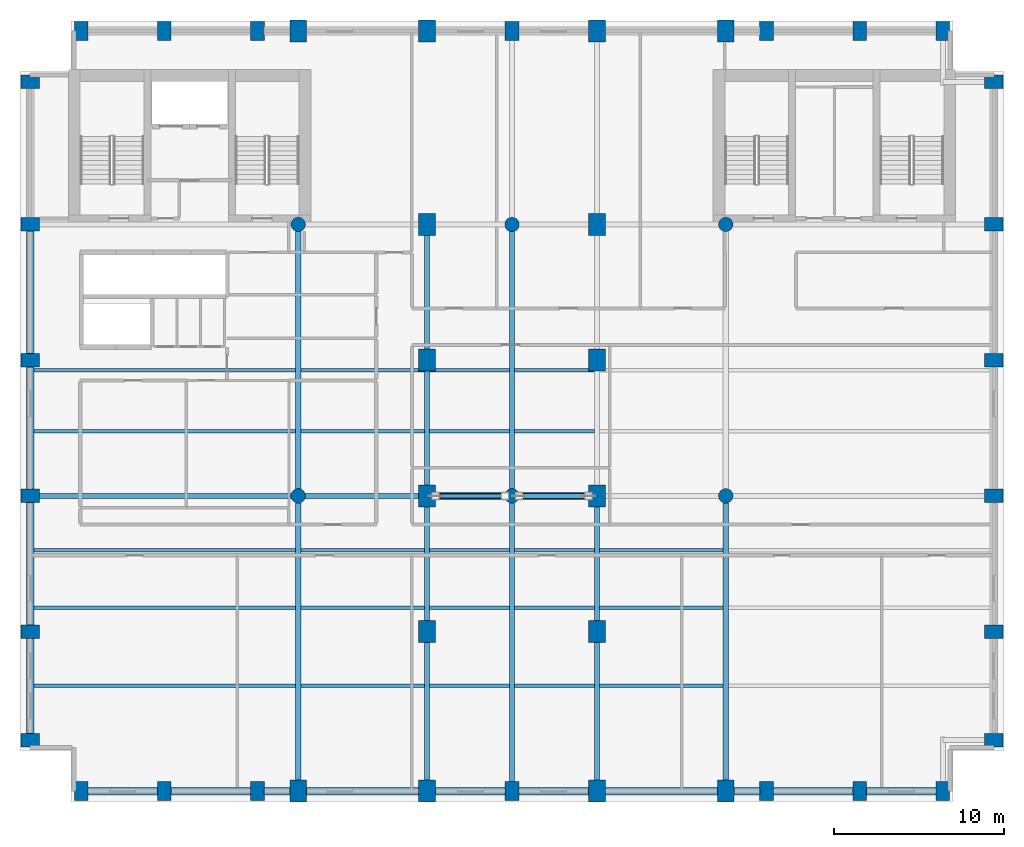
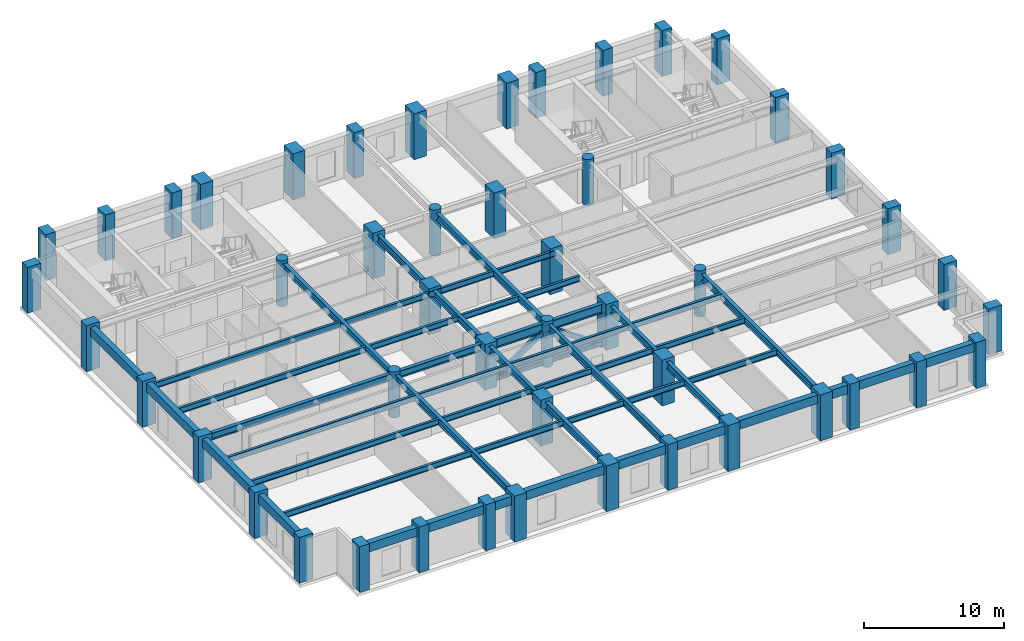
# One storey, part 1 of 11: 49 beams, 48 columns, 4 members.
"""IFC4 building model written with IfcOpenShell, lengths in metres."""

import ifcopenshell
import ifcopenshell.guid

model = None  # the IFC model being written
_history = None  # IfcOwnerHistory: only IFC2X3 demands one
_inside = {}  # id of a spatial element -> (the spatial element, [elements in it])
_under = {}  # id of a project, library or spatial element -> (it, [spatial elements below it])
_declared = {}  # id of a project -> (the project, [libraries it declares])
_typed = {}  # id of a type object -> (the type object, [elements of that type])
_made_of = {}  # id of a material, layer set ... -> (it, [elements and type objects made of it])


def new_model(schema):
    """Start an empty IFC model of exactly this schema.

    Asked for "IFC4X3", IfcOpenShell would pick the latest addendum, in which some entities
    have other attributes; the version numbers below select the first issue.
    IFC2X3 requires an IfcOwnerHistory on every rooted entity: one is made here for all.
    """
    global model, _history
    if schema == "IFC4X3":
        model = ifcopenshell.file(schema_version=(4, 3, 0, 0))
    else:
        model = ifcopenshell.file(schema=schema)
    _inside.clear()
    _under.clear()
    _declared.clear()
    _typed.clear()
    _made_of.clear()
    _history = None
    if model.schema == "IFC2X3":
        org = make("IfcOrganization", Name="unknown")
        user = make(
            "IfcPersonAndOrganization",
            ThePerson=make("IfcPerson", FamilyName="unknown"),
            TheOrganization=org,
        )
        app = make(
            "IfcApplication",
            ApplicationDeveloper=org,
            Version="unknown",
            ApplicationFullName="unknown",
            ApplicationIdentifier="unknown",
        )
        _history = make(
            "IfcOwnerHistory",
            OwningUser=user,
            OwningApplication=app,
            ChangeAction="ADDED",
            CreationDate=0,
        )
    return model


def make(cls, **values):
    """One entity of the class cls with the attributes given. An attribute that is None is left unset."""
    return model.create_entity(
        cls, **{name: value for name, value in values.items() if value is not None}
    )


def rooted(cls, **values):
    """An entity with a GlobalId (a new one), such as an element, a storey or a relation."""
    return make(cls, GlobalId=ifcopenshell.guid.new(), OwnerHistory=_history, **values)


def si_unit(unit_type, name, prefix=None):
    """IfcSIUnit, for example si_unit("LENGTHUNIT", "METRE", prefix="MILLI")."""
    return make("IfcSIUnit", UnitType=unit_type, Prefix=prefix, Name=name)


def assignment(units):
    """IfcUnitAssignment: the units of a project."""
    return None if units is None else make("IfcUnitAssignment", Units=units)


def point(xyz):
    """IfcCartesianPoint."""
    return None if xyz is None else make("IfcCartesianPoint", Coordinates=xyz)


def direction(xyz):
    """IfcDirection."""
    return None if xyz is None else make("IfcDirection", DirectionRatios=xyz)


def frame(location, z_axis=None, x_axis=None):
    """IfcAxis2Placement3D, a coordinate frame: its origin and axes. An axis left out is left unset."""
    return make(
        "IfcAxis2Placement3D",
        Location=point(location),
        Axis=direction(z_axis),
        RefDirection=direction(x_axis),
    )


def frame_2d(location, x_axis=None):
    """IfcAxis2Placement2D, a coordinate frame in the plane: its origin and x axis."""
    return make(
        "IfcAxis2Placement2D", Location=point(location), RefDirection=direction(x_axis)
    )


def origin():
    """The frame at (0, 0, 0) with its axes left unset."""
    return frame((0.0, 0.0, 0.0))


def origin_2d():
    """The frame at (0, 0) in the plane with its x axis left unset."""
    return frame_2d((0.0, 0.0))


def place(relative_to, where):
    """IfcLocalPlacement: puts the frame where relative to a parent placement (None: the world)."""
    return make(
        "IfcLocalPlacement", PlacementRelTo=relative_to, RelativePlacement=where
    )


def context(
    kind, dimensions, precision=None, world=None, true_north=None, identifier=None
):
    """IfcGeometricRepresentationContext, for example the 3D "Model" context."""
    return make(
        "IfcGeometricRepresentationContext",
        ContextIdentifier=identifier,
        ContextType=kind,
        CoordinateSpaceDimension=dimensions,
        Precision=precision,
        WorldCoordinateSystem=world,
        TrueNorth=true_north,
    )


def subcontext(parent, identifier, kind, view, scale=None):
    """IfcGeometricRepresentationSubContext, for example "Body" below "Model"."""
    return make(
        "IfcGeometricRepresentationSubContext",
        ContextIdentifier=identifier,
        ContextType=kind,
        ParentContext=parent,
        TargetScale=scale,
        TargetView=view,
    )


def project(units=None, contexts=None):
    """IfcProject with its units and contexts."""
    return rooted(
        "IfcProject",
        Name="project",
        RepresentationContexts=contexts,
        UnitsInContext=assignment(units),
    )


def spatial(cls, under=None, at=None, **own):
    """A site, building, storey or space (cls), placed at a placement, below another one or the project."""
    s = rooted(cls, ObjectPlacement=at, **own)
    if under is not None:
        _under.setdefault(under.id(), (under, []))[1].append(s)
    return s


def profile(cls, at=None, kind="AREA", **sizes):
    """A parametric profile (cls). Its sizes go by their IFC names, for example OverallWidth=200.0."""
    return make(cls, ProfileType=kind, Position=at, **sizes)


def rectangle(**sizes):
    """IfcRectangleProfileDef."""
    return profile("IfcRectangleProfileDef", **sizes)


def hollow_rectangle(**sizes):
    """IfcRectangleHollowProfileDef."""
    return profile("IfcRectangleHollowProfileDef", **sizes)


def circle(**sizes):
    """IfcCircleProfileDef."""
    return profile("IfcCircleProfileDef", **sizes)


def i_section(**sizes):
    """IfcIShapeProfileDef."""
    return profile("IfcIShapeProfileDef", **sizes)


def extrude(swept, where, along, depth):
    """IfcExtrudedAreaSolid: the profile swept, set in the frame where, extruded along a direction by depth."""
    return make(
        "IfcExtrudedAreaSolid",
        SweptArea=swept,
        Position=where,
        ExtrudedDirection=direction(along),
        Depth=depth,
    )


def shape(context_of_items, identifier, shape_type, items):
    """IfcShapeRepresentation: the items that make up one representation, for example the "Body"."""
    return make(
        "IfcShapeRepresentation",
        ContextOfItems=context_of_items,
        RepresentationIdentifier=identifier,
        RepresentationType=shape_type,
        Items=items,
    )


def material(Name=None, Category=None):
    """IfcMaterial."""
    return make("IfcMaterial", Name=Name, Category=Category)


def material_profile(
    of_material, cross_section, Name=None, Category=None, Priority=None
):
    """IfcMaterialProfile: a cross section and its material."""
    return make(
        "IfcMaterialProfile",
        Name=Name,
        Material=of_material,
        Profile=cross_section,
        Priority=Priority,
        Category=Category,
    )


def profile_set(profiles, Name=None, composite=None):
    """IfcMaterialProfileSet."""
    return make(
        "IfcMaterialProfileSet",
        Name=Name,
        MaterialProfiles=profiles,
        CompositeProfile=composite,
    )


def made_of(thing, what):
    """Note that an element or type object is made of a material, layer set ...; save() writes the relation."""
    if what is not None:
        _made_of.setdefault(what.id(), (what, []))[1].append(thing)
    return thing


def type_object(cls, material=None, **own):
    """A type object (cls), such as IfcWallType, which elements share."""
    return made_of(rooted(cls, **own), material)


def element(
    cls,
    number,
    at=None,
    inside=None,
    cuts=None,
    type_object=None,
    material=None,
    context=None,
    identifier="Body",
    shape_type=None,
    held_by="IfcProductDefinitionShape",
    body=None,
    shapes=None,
    **own,
):
    """One element of the class cls, such as IfcWall. Its Tag is "e" and its number.

    at: its placement. inside: the storey or other place that contains it. cuts: it is an
    opening in that element (IfcRelVoidsElement). A single representation is given by context,
    identifier, shape_type and body (its items); several are given by shapes. held_by: the class
    of the entity that holds the representations. save() writes the other relations.
    """
    e = rooted(cls, Tag="e%d" % number, ObjectPlacement=at, **own)
    if body is not None:
        shapes = [shape(context, identifier, shape_type, body)]
    if shapes is not None:
        e.Representation = make(held_by, Representations=shapes)
    if inside is not None:
        _inside.setdefault(inside.id(), (inside, []))[1].append(e)
    if cuts is not None:
        rooted(
            "IfcRelVoidsElement", RelatingBuildingElement=cuts, RelatedOpeningElement=e
        )
    if type_object is not None:
        _typed.setdefault(type_object.id(), (type_object, []))[1].append(e)
    return made_of(e, material)


def aggregate(whole, parts):
    """IfcRelAggregates: a whole, such as a stair, and the parts it consists of."""
    return rooted("IfcRelAggregates", RelatingObject=whole, RelatedObjects=parts)


def save(model, path):
    """Write the relations noted so far, then the file.

    IfcRelAggregates (storeys below a building ...), IfcRelContainedInSpatialStructure (elements
    in a storey), IfcRelDefinesByType, IfcRelAssociatesMaterial and IfcRelDeclares: one each for
    every whole, place, type object, material and project.
    """
    for whole, parts in _under.values():
        aggregate(whole, parts)
    for where, things in _inside.values():
        rooted(
            "IfcRelContainedInSpatialStructure",
            RelatedElements=things,
            RelatingStructure=where,
        )
    for kind, things in _typed.values():
        rooted("IfcRelDefinesByType", RelatedObjects=things, RelatingType=kind)
    for what, things in _made_of.values():
        rooted("IfcRelAssociatesMaterial", RelatedObjects=things, RelatingMaterial=what)
    for by, libraries in _declared.values():
        rooted("IfcRelDeclares", RelatingContext=by, RelatedDefinitions=libraries)
    model.write(path)


model = new_model("IFC4")

# Units and contexts
model_context = context("Model", 3, precision=1e-05, world=origin(), true_north=direction((0.0, 1.0)))
body_context = subcontext(model_context, "Body", "Model", "MODEL_VIEW")
ifc_project = project(units=[si_unit("LENGTHUNIT", "METRE"), si_unit("AREAUNIT", "SQUARE_METRE"), si_unit("VOLUMEUNIT", "CUBIC_METRE"), si_unit("PLANEANGLEUNIT", "RADIAN"), si_unit("MASSUNIT", "GRAM", prefix="KILO")], contexts=[model_context])

# Site, building, storey
site_placement = place(None, origin())
site = spatial("IfcSite", under=ifc_project, at=site_placement, CompositionType="ELEMENT")
building_placement = place(site_placement, origin())
building = spatial("IfcBuilding", under=site, at=building_placement, Name="Sulina Concourse Tower", CompositionType="ELEMENT")
storey_placement = place(building_placement, frame((0.0, 0.0, 218.60009765625)))
storey = spatial("IfcBuildingStorey", under=building, at=storey_placement, Name="L53", CompositionType="ELEMENT", Elevation=218.60009765625)

# Columns
ifc_material_1 = material(Name="Precast concrete C60/75", Category="concrete")
ifc_material_profile_1 = material_profile(ifc_material_1, rectangle(XDim=0.800048828125, YDim=1.10009765625, at=origin_2d()), Name="PC 800x1100")
ifc_profile_set_1 = profile_set([ifc_material_profile_1], Name="Precast concrete C60/75")
column_type_1 = type_object("IfcColumnType", Name="Precast Tube Pier Zone 3 800x1100", PredefinedType="COLUMN", material=ifc_profile_set_1)
for number, where, z_axis, x_axis, name in (
    (1, (3.60009765625, 0.60009765625, 0.0), (0.0, 0.0, 1.0), (1.0, 0.0, 0.0), "L53 structural column TP-S-36"),
    (2, (3.60009765625, 45.39990234375, 0.0), (0.0, 0.0, 1.0), (1.0, 0.0, 0.0), "L53 structural column TP-N-36"),
    (3, (8.5, 0.60009765625, 0.0), (0.0, 0.0, 1.0), (1.0, 0.0, 0.0), "L53 structural column TP-S-85"),
    (4, (8.5, 45.39990234375, 0.0), (0.0, 0.0, 1.0), (1.0, 0.0, 0.0), "L53 structural column TP-N-85"),
    (5, (14.0, 0.60009765625, 0.0), (0.0, 0.0, 1.0), (1.0, 0.0, 0.0), "L53 structural column TP-S-140"),
    (6, (14.0, 45.39990234375, 0.0), (0.0, 0.0, 1.0), (1.0, 0.0, 0.0), "L53 structural column TP-N-140"),
    (7, (29.0, 0.60009765625, 0.0), (0.0, 0.0, 1.0), (1.0, 0.0, 0.0), "L53 structural column TP-S-290"),
    (8, (29.0, 45.39990234375, 0.0), (0.0, 0.0, 1.0), (1.0, 0.0, 0.0), "L53 structural column TP-N-290"),
    (9, (44.0, 0.60009765625, 0.0), (0.0, 0.0, 1.0), (1.0, 0.0, 0.0), "L53 structural column TP-S-440"),
    (10, (44.0, 45.39990234375, 0.0), (0.0, 0.0, 1.0), (1.0, 0.0, 0.0), "L53 structural column TP-N-440"),
    (11, (49.5, 0.60009765625, 0.0), (0.0, 0.0, 1.0), (1.0, 0.0, 0.0), "L53 structural column TP-S-495"),
    (12, (49.5, 45.39990234375, 0.0), (0.0, 0.0, 1.0), (1.0, 0.0, 0.0), "L53 structural column TP-N-495"),
    (13, (54.39990234375, 0.60009765625, 0.0), (0.0, 0.0, 1.0), (1.0, 0.0, 0.0), "L53 structural column TP-S-544"),
    (14, (54.39990234375, 45.39990234375, 0.0), (0.0, 0.0, 1.0), (1.0, 0.0, 0.0), "L53 structural column TP-N-544"),
    (15, (0.60009765625, 3.60009765625, 0.0), (0.0, 0.0, 1.0), (0.0, 1.0, 0.0), "L53 structural column TP-W-36"),
    (16, (57.39990234375, 3.60009765625, 0.0), (0.0, 0.0, 1.0), (0.0, 1.0, 0.0), "L53 structural column TP-E-36"),
    (17, (0.60009765625, 10.0, 0.0), (0.0, 0.0, 1.0), (0.0, 1.0, 0.0), "L53 structural column TP-W-100"),
    (18, (57.39990234375, 10.0, 0.0), (0.0, 0.0, 1.0), (0.0, 1.0, 0.0), "L53 structural column TP-E-100"),
    (19, (0.60009765625, 18.0, 0.0), (0.0, 0.0, 1.0), (0.0, 1.0, 0.0), "L53 structural column TP-W-180"),
    (20, (57.39990234375, 18.0, 0.0), (0.0, 0.0, 1.0), (0.0, 1.0, 0.0), "L53 structural column TP-E-180"),
    (21, (0.60009765625, 26.0, 0.0), (0.0, 0.0, 1.0), (0.0, 1.0, 0.0), "L53 structural column TP-W-260"),
    (22, (57.39990234375, 26.0, 0.0), (0.0, 0.0, 1.0), (0.0, 1.0, 0.0), "L53 structural column TP-E-260"),
    (23, (0.60009765625, 34.0, 0.0), (0.0, 0.0, 1.0), (0.0, 1.0, 0.0), "L53 structural column TP-W-340"),
    (24, (57.39990234375, 34.0, 0.0), (0.0, 0.0, 1.0), (0.0, 1.0, 0.0), "L53 structural column TP-E-340"),
    (25, (0.60009765625, 42.39990234375, 0.0), (0.0, 0.0, 1.0), (0.0, 1.0, 0.0), "L53 structural column TP-W-424"),
    (26, (57.39990234375, 42.39990234375, 0.0), (0.0, 0.0, 1.0), (0.0, 1.0, 0.0), "L53 structural column TP-E-424"),
):
    element("IfcColumn", number, at=place(storey_placement, frame(where, z_axis=z_axis, x_axis=x_axis)), inside=storey, type_object=column_type_1, Name=name, PredefinedType="COLUMN", context=body_context, shape_type="SweptSolid", body=[
        extrude(rectangle(XDim=0.800048828125, YDim=1.10009765625, at=origin_2d()), origin(), (0.0, 0.0, 1.0), 4.0),
    ])
ifc_material_2 = material(Name="Concrete C50/60", Category="concrete")
ifc_material_profile_2 = material_profile(ifc_material_2, circle(Radius=0.425048828125, at=origin_2d()), Name="RC D850")
ifc_profile_set_2 = profile_set([ifc_material_profile_2], Name="Concrete C50/60")
column_type_2 = type_object("IfcColumnType", Name="Upper Interior Circular Column D850", PredefinedType="COLUMN", material=ifc_profile_set_2)
for number, where, z_axis, x_axis, name in (
    (27, (16.39990234375, 18.0, 0.0), (0.0, 0.0, 1.0), (1.0, 0.0, 0.0), "L53 structural column IC-M-164"),
    (28, (16.39990234375, 34.0, 0.0), (0.0, 0.0, 1.0), (1.0, 0.0, 0.0), "L53 structural column IC-N-164"),
    (29, (29.0, 18.0, 0.0), (0.0, 0.0, 1.0), (1.0, 0.0, 0.0), "L53 structural column IC-M-290"),
    (30, (29.0, 34.0, 0.0), (0.0, 0.0, 1.0), (1.0, 0.0, 0.0), "L53 structural column IC-N-290"),
    (31, (41.60009765625, 18.0, 0.0), (0.0, 0.0, 1.0), (1.0, 0.0, 0.0), "L53 structural column IC-M-416"),
    (32, (41.60009765625, 34.0, 0.0), (0.0, 0.0, 1.0), (1.0, 0.0, 0.0), "L53 structural column IC-N-416"),
):
    element("IfcColumn", number, at=place(storey_placement, frame(where, z_axis=z_axis, x_axis=x_axis)), inside=storey, type_object=column_type_2, Name=name, PredefinedType="COLUMN", context=body_context, shape_type="SweptSolid", body=[
        extrude(circle(Radius=0.425048828125, at=origin_2d()), origin(), (0.0, 0.0, 1.0), 4.0),
    ])
ifc_material_3 = material(Name="Concrete C60/75", Category="concrete")
ifc_material_profile_3 = material_profile(ifc_material_3, rectangle(XDim=1.0, YDim=1.300048828125, at=origin_2d()), Name="RC 1000x1300")
ifc_profile_set_3 = profile_set([ifc_material_profile_3], Name="Concrete C60/75")
column_type_3 = type_object("IfcColumnType", Name="Upper Portal Column 1000x1300", PredefinedType="COLUMN", material=ifc_profile_set_3)
for number, where, z_axis, x_axis, name in (
    (33, (16.39990234375, 0.60009765625, 0.0), (0.0, 0.0, 1.0), (1.0, 0.0, 0.0), "L53 structural column TP-S-164"),
    (34, (16.39990234375, 45.39990234375, 0.0), (0.0, 0.0, 1.0), (1.0, 0.0, 0.0), "L53 structural column TP-N-164"),
    (35, (24.0, 0.60009765625, 0.0), (0.0, 0.0, 1.0), (1.0, 0.0, 0.0), "L53 structural column TP-S-240"),
    (36, (24.0, 45.39990234375, 0.0), (0.0, 0.0, 1.0), (1.0, 0.0, 0.0), "L53 structural column TP-N-240"),
    (37, (34.0, 0.60009765625, 0.0), (0.0, 0.0, 1.0), (1.0, 0.0, 0.0), "L53 structural column TP-S-340"),
    (38, (34.0, 45.39990234375, 0.0), (0.0, 0.0, 1.0), (1.0, 0.0, 0.0), "L53 structural column TP-N-340"),
    (39, (41.60009765625, 0.60009765625, 0.0), (0.0, 0.0, 1.0), (1.0, 0.0, 0.0), "L53 structural column TP-S-416"),
    (40, (41.60009765625, 45.39990234375, 0.0), (0.0, 0.0, 1.0), (1.0, 0.0, 0.0), "L53 structural column TP-N-416"),
    (41, (24.0, 10.0, 0.0), (0.0, 0.0, 1.0), (1.0, 0.0, 0.0), "L53 structural column UP-FW-10"),
    (42, (34.0, 10.0, 0.0), (0.0, 0.0, 1.0), (1.0, 0.0, 0.0), "L53 structural column UP-FE-10"),
    (43, (24.0, 18.0, 0.0), (0.0, 0.0, 1.0), (1.0, 0.0, 0.0), "L53 structural column UP-FW-18"),
    (44, (34.0, 18.0, 0.0), (0.0, 0.0, 1.0), (1.0, 0.0, 0.0), "L53 structural column UP-FE-18"),
    (45, (24.0, 26.0, 0.0), (0.0, 0.0, 1.0), (1.0, 0.0, 0.0), "L53 structural column UP-FW-26"),
    (46, (34.0, 26.0, 0.0), (0.0, 0.0, 1.0), (1.0, 0.0, 0.0), "L53 structural column UP-FE-26"),
    (47, (24.0, 34.0, 0.0), (0.0, 0.0, 1.0), (1.0, 0.0, 0.0), "L53 structural column UP-FW-34"),
    (48, (34.0, 34.0, 0.0), (0.0, 0.0, 1.0), (1.0, 0.0, 0.0), "L53 structural column UP-FE-34"),
):
    element("IfcColumn", number, at=place(storey_placement, frame(where, z_axis=z_axis, x_axis=x_axis)), inside=storey, type_object=column_type_3, Name=name, PredefinedType="COLUMN", context=body_context, shape_type="SweptSolid", body=[
        extrude(rectangle(XDim=1.0, YDim=1.300048828125, at=origin_2d()), origin(), (0.0, 0.0, 1.0), 4.0),
    ])

# Beams
ifc_material_4 = material(Name="Steel S355", Category="steel")
ifc_material_profile_4 = material_profile(ifc_material_4, i_section(OverallWidth=0.199951171875, OverallDepth=0.5, WebThickness=0.01025390625, FlangeThickness=0.01611328125, at=origin_2d()), Name="IPE 500")
ifc_profile_set_4 = profile_set([ifc_material_profile_4], Name="Steel S355")
beam_type_1 = type_object("IfcBeamType", Name="Composite Floor Joist IPE500", PredefinedType="JOIST", material=ifc_profile_set_4)
beam_1_placement = place(storey_placement, frame((0.824951171875, 6.800048828125, 3.5), z_axis=(1.0, 0.0, 0.0), x_axis=(0.0, 1.0, 0.0)))
element("IfcBeam", 49, at=beam_1_placement, inside=storey, type_object=beam_type_1, Name="FJ-J06-1-L53", PredefinedType="JOIST", context=body_context, shape_type="SweptSolid", body=[
    extrude(i_section(OverallWidth=0.199951171875, OverallDepth=0.5, WebThickness=0.01025390625, FlangeThickness=0.01611328125, at=origin_2d()), origin(), (0.0, 0.0, 1.0), 15.425048828125),
])
beam_2_placement = place(storey_placement, frame((16.550048828125, 6.800048828125, 3.5), z_axis=(1.0, 0.0, 0.0), x_axis=(0.0, 1.0, 0.0)))
element("IfcBeam", 50, at=beam_2_placement, inside=storey, type_object=beam_type_1, Name="FJ-J06-2-L53", PredefinedType="JOIST", context=body_context, shape_type="SweptSolid", body=[
    extrude(i_section(OverallWidth=0.199951171875, OverallDepth=0.5, WebThickness=0.01025390625, FlangeThickness=0.01611328125, at=origin_2d()), origin(), (0.0, 0.0, 1.0), 7.300048828125),
])
for number, where, z_axis, x_axis, name in (
    (51, (24.14990234375, 6.800048828125, 3.5), (1.0, 0.0, 0.0), (0.0, 1.0, 0.0), "FJ-J06-3-L53"),
    (52, (29.14990234375, 6.800048828125, 3.5), (1.0, 0.0, 0.0), (0.0, 1.0, 0.0), "FJ-J06-4-L53"),
):
    element("IfcBeam", number, at=place(storey_placement, frame(where, z_axis=z_axis, x_axis=x_axis)), inside=storey, type_object=beam_type_1, Name=name, PredefinedType="JOIST", context=body_context, shape_type="SweptSolid", body=[
        extrude(i_section(OverallWidth=0.199951171875, OverallDepth=0.5, WebThickness=0.01025390625, FlangeThickness=0.01611328125, at=origin_2d()), origin(), (0.0, 0.0, 1.0), 4.7001953125),
    ])
beam_3_placement = place(storey_placement, frame((34.14990234375, 6.800048828125, 3.5), z_axis=(1.0, 0.0, 0.0), x_axis=(0.0, 1.0, 0.0)))
element("IfcBeam", 53, at=beam_3_placement, inside=storey, type_object=beam_type_1, Name="FJ-J06-5-L53", PredefinedType="JOIST", context=body_context, shape_type="SweptSolid", body=[
    extrude(i_section(OverallWidth=0.199951171875, OverallDepth=0.5, WebThickness=0.01025390625, FlangeThickness=0.01611328125, at=origin_2d()), origin(), (0.0, 0.0, 1.0), 7.300048828125),
])
beam_4_placement = place(storey_placement, frame((0.824951171875, 11.39990234375, 3.5), z_axis=(1.0, 0.0, 0.0), x_axis=(0.0, 1.0, 0.0)))
element("IfcBeam", 54, at=beam_4_placement, inside=storey, type_object=beam_type_1, Name="FJ-J11-1-L53", PredefinedType="JOIST", context=body_context, shape_type="SweptSolid", body=[
    extrude(i_section(OverallWidth=0.199951171875, OverallDepth=0.5, WebThickness=0.01025390625, FlangeThickness=0.01611328125, at=origin_2d()), origin(), (0.0, 0.0, 1.0), 15.425048828125),
])
beam_5_placement = place(storey_placement, frame((16.550048828125, 11.39990234375, 3.5), z_axis=(1.0, 0.0, 0.0), x_axis=(0.0, 1.0, 0.0)))
element("IfcBeam", 55, at=beam_5_placement, inside=storey, type_object=beam_type_1, Name="FJ-J11-2-L53", PredefinedType="JOIST", context=body_context, shape_type="SweptSolid", body=[
    extrude(i_section(OverallWidth=0.199951171875, OverallDepth=0.5, WebThickness=0.01025390625, FlangeThickness=0.01611328125, at=origin_2d()), origin(), (0.0, 0.0, 1.0), 7.300048828125),
])
for number, where, z_axis, x_axis, name in (
    (56, (24.14990234375, 11.39990234375, 3.5), (1.0, 0.0, 0.0), (0.0, 1.0, 0.0), "FJ-J11-3-L53"),
    (57, (29.14990234375, 11.39990234375, 3.5), (1.0, 0.0, 0.0), (0.0, 1.0, 0.0), "FJ-J11-4-L53"),
):
    element("IfcBeam", number, at=place(storey_placement, frame(where, z_axis=z_axis, x_axis=x_axis)), inside=storey, type_object=beam_type_1, Name=name, PredefinedType="JOIST", context=body_context, shape_type="SweptSolid", body=[
        extrude(i_section(OverallWidth=0.199951171875, OverallDepth=0.5, WebThickness=0.01025390625, FlangeThickness=0.01611328125, at=origin_2d()), origin(), (0.0, 0.0, 1.0), 4.7001953125),
    ])
beam_6_placement = place(storey_placement, frame((34.14990234375, 11.39990234375, 3.5), z_axis=(1.0, 0.0, 0.0), x_axis=(0.0, 1.0, 0.0)))
element("IfcBeam", 58, at=beam_6_placement, inside=storey, type_object=beam_type_1, Name="FJ-J11-5-L53", PredefinedType="JOIST", context=body_context, shape_type="SweptSolid", body=[
    extrude(i_section(OverallWidth=0.199951171875, OverallDepth=0.5, WebThickness=0.01025390625, FlangeThickness=0.01611328125, at=origin_2d()), origin(), (0.0, 0.0, 1.0), 7.300048828125),
])
beam_7_placement = place(storey_placement, frame((0.824951171875, 14.800048828125, 3.5), z_axis=(1.0, 0.0, 0.0), x_axis=(0.0, 1.0, 0.0)))
element("IfcBeam", 59, at=beam_7_placement, inside=storey, type_object=beam_type_1, Name="FJ-J15-1-L53", PredefinedType="JOIST", context=body_context, shape_type="SweptSolid", body=[
    extrude(i_section(OverallWidth=0.199951171875, OverallDepth=0.5, WebThickness=0.01025390625, FlangeThickness=0.01611328125, at=origin_2d()), origin(), (0.0, 0.0, 1.0), 15.425048828125),
])
beam_8_placement = place(storey_placement, frame((16.550048828125, 14.800048828125, 3.5), z_axis=(1.0, 0.0, 0.0), x_axis=(0.0, 1.0, 0.0)))
element("IfcBeam", 60, at=beam_8_placement, inside=storey, type_object=beam_type_1, Name="FJ-J15-2-L53", PredefinedType="JOIST", context=body_context, shape_type="SweptSolid", body=[
    extrude(i_section(OverallWidth=0.199951171875, OverallDepth=0.5, WebThickness=0.01025390625, FlangeThickness=0.01611328125, at=origin_2d()), origin(), (0.0, 0.0, 1.0), 7.300048828125),
])
for number, where, z_axis, x_axis, name in (
    (61, (24.14990234375, 14.800048828125, 3.5), (1.0, 0.0, 0.0), (0.0, 1.0, 0.0), "FJ-J15-3-L53"),
    (62, (29.14990234375, 14.800048828125, 3.5), (1.0, 0.0, 0.0), (0.0, 1.0, 0.0), "FJ-J15-4-L53"),
):
    element("IfcBeam", number, at=place(storey_placement, frame(where, z_axis=z_axis, x_axis=x_axis)), inside=storey, type_object=beam_type_1, Name=name, PredefinedType="JOIST", context=body_context, shape_type="SweptSolid", body=[
        extrude(i_section(OverallWidth=0.199951171875, OverallDepth=0.5, WebThickness=0.01025390625, FlangeThickness=0.01611328125, at=origin_2d()), origin(), (0.0, 0.0, 1.0), 4.7001953125),
    ])
beam_9_placement = place(storey_placement, frame((34.14990234375, 14.800048828125, 3.5), z_axis=(1.0, 0.0, 0.0), x_axis=(0.0, 1.0, 0.0)))
element("IfcBeam", 63, at=beam_9_placement, inside=storey, type_object=beam_type_1, Name="FJ-J15-5-L53", PredefinedType="JOIST", context=body_context, shape_type="SweptSolid", body=[
    extrude(i_section(OverallWidth=0.199951171875, OverallDepth=0.5, WebThickness=0.01025390625, FlangeThickness=0.01611328125, at=origin_2d()), origin(), (0.0, 0.0, 1.0), 7.300048828125),
])
beam_10_placement = place(storey_placement, frame((0.824951171875, 21.800048828125, 3.5), z_axis=(1.0, 0.0, 0.0), x_axis=(0.0, 1.0, 0.0)))
element("IfcBeam", 64, at=beam_10_placement, inside=storey, type_object=beam_type_1, Name="FJ-J22-1-L53", PredefinedType="JOIST", context=body_context, shape_type="SweptSolid", body=[
    extrude(i_section(OverallWidth=0.199951171875, OverallDepth=0.5, WebThickness=0.01025390625, FlangeThickness=0.01611328125, at=origin_2d()), origin(), (0.0, 0.0, 1.0), 15.425048828125),
])
beam_11_placement = place(storey_placement, frame((16.550048828125, 21.800048828125, 3.5), z_axis=(1.0, 0.0, 0.0), x_axis=(0.0, 1.0, 0.0)))
element("IfcBeam", 65, at=beam_11_placement, inside=storey, type_object=beam_type_1, Name="FJ-J22-2-L53", PredefinedType="JOIST", context=body_context, shape_type="SweptSolid", body=[
    extrude(i_section(OverallWidth=0.199951171875, OverallDepth=0.5, WebThickness=0.01025390625, FlangeThickness=0.01611328125, at=origin_2d()), origin(), (0.0, 0.0, 1.0), 7.300048828125),
])
for number, where, z_axis, x_axis, name in (
    (66, (24.14990234375, 21.800048828125, 3.5), (1.0, 0.0, 0.0), (0.0, 1.0, 0.0), "FJ-J22-3-L53"),
    (67, (29.14990234375, 21.800048828125, 3.5), (1.0, 0.0, 0.0), (0.0, 1.0, 0.0), "FJ-J22-4-L53"),
):
    element("IfcBeam", number, at=place(storey_placement, frame(where, z_axis=z_axis, x_axis=x_axis)), inside=storey, type_object=beam_type_1, Name=name, PredefinedType="JOIST", context=body_context, shape_type="SweptSolid", body=[
        extrude(i_section(OverallWidth=0.199951171875, OverallDepth=0.5, WebThickness=0.01025390625, FlangeThickness=0.01611328125, at=origin_2d()), origin(), (0.0, 0.0, 1.0), 4.7001953125),
    ])
beam_12_placement = place(storey_placement, frame((0.824951171875, 25.39990234375, 3.5), z_axis=(1.0, 0.0, 0.0), x_axis=(0.0, 1.0, 0.0)))
element("IfcBeam", 68, at=beam_12_placement, inside=storey, type_object=beam_type_1, Name="FJ-J25-1-L53", PredefinedType="JOIST", context=body_context, shape_type="SweptSolid", body=[
    extrude(i_section(OverallWidth=0.199951171875, OverallDepth=0.5, WebThickness=0.01025390625, FlangeThickness=0.01611328125, at=origin_2d()), origin(), (0.0, 0.0, 1.0), 15.425048828125),
])
beam_13_placement = place(storey_placement, frame((16.550048828125, 25.39990234375, 3.5), z_axis=(1.0, 0.0, 0.0), x_axis=(0.0, 1.0, 0.0)))
element("IfcBeam", 69, at=beam_13_placement, inside=storey, type_object=beam_type_1, Name="FJ-J25-2-L53", PredefinedType="JOIST", context=body_context, shape_type="SweptSolid", body=[
    extrude(i_section(OverallWidth=0.199951171875, OverallDepth=0.5, WebThickness=0.01025390625, FlangeThickness=0.01611328125, at=origin_2d()), origin(), (0.0, 0.0, 1.0), 7.300048828125),
])
for number, where, z_axis, x_axis, name in (
    (70, (24.14990234375, 25.39990234375, 3.5), (1.0, 0.0, 0.0), (0.0, 1.0, 0.0), "FJ-J25-3-L53"),
    (71, (29.14990234375, 25.39990234375, 3.5), (1.0, 0.0, 0.0), (0.0, 1.0, 0.0), "FJ-J25-4-L53"),
):
    element("IfcBeam", number, at=place(storey_placement, frame(where, z_axis=z_axis, x_axis=x_axis)), inside=storey, type_object=beam_type_1, Name=name, PredefinedType="JOIST", context=body_context, shape_type="SweptSolid", body=[
        extrude(i_section(OverallWidth=0.199951171875, OverallDepth=0.5, WebThickness=0.01025390625, FlangeThickness=0.01611328125, at=origin_2d()), origin(), (0.0, 0.0, 1.0), 4.7001953125),
    ])
ifc_material_5 = material(Name="Steel S355", Category="steel")
ifc_material_profile_5 = material_profile(ifc_material_5, i_section(OverallWidth=0.300048828125, OverallDepth=0.60009765625, WebThickness=0.015380859375, FlangeThickness=0.030029296875, at=origin_2d()), Name="HE 600 B")
ifc_profile_set_5 = profile_set([ifc_material_profile_5], Name="Steel S355")
beam_type_2 = type_object("IfcBeamType", Name="Floor Primary Girder Zone 3 HE600B", PredefinedType="BEAM", material=ifc_profile_set_5)
beam_14_placement = place(storey_placement, frame((0.97998046875, 18.0, 3.449951171875), z_axis=(1.0, 0.0, 0.0), x_axis=(0.0, 1.0, 0.0)))
element("IfcBeam", 72, at=beam_14_placement, inside=storey, type_object=beam_type_2, Name="FG-EW1-L53", PredefinedType="BEAM", context=body_context, shape_type="SweptSolid", body=[
    extrude(i_section(OverallWidth=0.300048828125, OverallDepth=0.60009765625, WebThickness=0.015380859375, FlangeThickness=0.030029296875, at=origin_2d()), origin(), (0.0, 0.0, 1.0), 15.01513671875),
])
beam_15_placement = place(storey_placement, frame((16.804931640625, 18.0, 3.449951171875), z_axis=(1.0, 0.0, 0.0), x_axis=(0.0, 1.0, 0.0)))
element("IfcBeam", 73, at=beam_15_placement, inside=storey, type_object=beam_type_2, Name="FG-EW2-L53", PredefinedType="BEAM", context=body_context, shape_type="SweptSolid", body=[
    extrude(i_section(OverallWidth=0.300048828125, OverallDepth=0.60009765625, WebThickness=0.015380859375, FlangeThickness=0.030029296875, at=origin_2d()), origin(), (0.0, 0.0, 1.0), 6.715087890625),
])
beam_16_placement = place(storey_placement, frame((16.39990234375, 1.080078125, 3.449951171875), z_axis=(0.0, 1.0, 0.0), x_axis=(-1.0, 0.0, 0.0)))
element("IfcBeam", 74, at=beam_16_placement, inside=storey, type_object=beam_type_2, Name="FG-NSA-16-L53", PredefinedType="BEAM", context=body_context, shape_type="SweptSolid", body=[
    extrude(i_section(OverallWidth=0.300048828125, OverallDepth=0.60009765625, WebThickness=0.015380859375, FlangeThickness=0.030029296875, at=origin_2d()), origin(), (0.0, 0.0, 1.0), 16.514892578125),
])
beam_17_placement = place(storey_placement, frame((16.39990234375, 18.405029296875, 3.449951171875), z_axis=(0.0, 1.0, 0.0), x_axis=(-1.0, 0.0, 0.0)))
element("IfcBeam", 75, at=beam_17_placement, inside=storey, type_object=beam_type_2, Name="FG-NSB-16-L53", PredefinedType="BEAM", context=body_context, shape_type="SweptSolid", body=[
    extrude(i_section(OverallWidth=0.300048828125, OverallDepth=0.60009765625, WebThickness=0.015380859375, FlangeThickness=0.030029296875, at=origin_2d()), origin(), (0.0, 0.0, 1.0), 15.18994140625),
])
beam_18_placement = place(storey_placement, frame((24.0, 1.080078125, 3.449951171875), z_axis=(0.0, 1.0, 0.0), x_axis=(-1.0, 0.0, 0.0)))
element("IfcBeam", 76, at=beam_18_placement, inside=storey, type_object=beam_type_2, Name="FG-NSA-24-L53", PredefinedType="BEAM", context=body_context, shape_type="SweptSolid", body=[
    extrude(i_section(OverallWidth=0.300048828125, OverallDepth=0.60009765625, WebThickness=0.015380859375, FlangeThickness=0.030029296875, at=origin_2d()), origin(), (0.0, 0.0, 1.0), 16.43994140625),
])
beam_19_placement = place(storey_placement, frame((24.0, 18.47998046875, 3.449951171875), z_axis=(0.0, 1.0, 0.0), x_axis=(-1.0, 0.0, 0.0)))
element("IfcBeam", 77, at=beam_19_placement, inside=storey, type_object=beam_type_2, Name="FG-NSB-24-L53", PredefinedType="BEAM", context=body_context, shape_type="SweptSolid", body=[
    extrude(i_section(OverallWidth=0.300048828125, OverallDepth=0.60009765625, WebThickness=0.015380859375, FlangeThickness=0.030029296875, at=origin_2d()), origin(), (0.0, 0.0, 1.0), 15.0400390625),
])
beam_20_placement = place(storey_placement, frame((29.0, 0.97998046875, 3.449951171875), z_axis=(0.0, 1.0, 0.0), x_axis=(-1.0, 0.0, 0.0)))
element("IfcBeam", 78, at=beam_20_placement, inside=storey, type_object=beam_type_2, Name="FG-NSA-29-L53", PredefinedType="BEAM", context=body_context, shape_type="SweptSolid", body=[
    extrude(i_section(OverallWidth=0.300048828125, OverallDepth=0.60009765625, WebThickness=0.015380859375, FlangeThickness=0.030029296875, at=origin_2d()), origin(), (0.0, 0.0, 1.0), 16.614990234375),
])
beam_21_placement = place(storey_placement, frame((29.0, 18.405029296875, 3.449951171875), z_axis=(0.0, 1.0, 0.0), x_axis=(-1.0, 0.0, 0.0)))
element("IfcBeam", 79, at=beam_21_placement, inside=storey, type_object=beam_type_2, Name="FG-NSB-29-L53", PredefinedType="BEAM", context=body_context, shape_type="SweptSolid", body=[
    extrude(i_section(OverallWidth=0.300048828125, OverallDepth=0.60009765625, WebThickness=0.015380859375, FlangeThickness=0.030029296875, at=origin_2d()), origin(), (0.0, 0.0, 1.0), 15.18994140625),
])
beam_22_placement = place(storey_placement, frame((34.0, 1.080078125, 3.449951171875), z_axis=(0.0, 1.0, 0.0), x_axis=(-1.0, 0.0, 0.0)))
element("IfcBeam", 80, at=beam_22_placement, inside=storey, type_object=beam_type_2, Name="FG-NSA-34-L53", PredefinedType="BEAM", context=body_context, shape_type="SweptSolid", body=[
    extrude(i_section(OverallWidth=0.300048828125, OverallDepth=0.60009765625, WebThickness=0.015380859375, FlangeThickness=0.030029296875, at=origin_2d()), origin(), (0.0, 0.0, 1.0), 16.43994140625),
])
beam_23_placement = place(storey_placement, frame((41.60009765625, 1.080078125, 3.449951171875), z_axis=(0.0, 1.0, 0.0), x_axis=(-1.0, 0.0, 0.0)))
element("IfcBeam", 81, at=beam_23_placement, inside=storey, type_object=beam_type_2, Name="FG-NSA-41-L53", PredefinedType="BEAM", context=body_context, shape_type="SweptSolid", body=[
    extrude(i_section(OverallWidth=0.300048828125, OverallDepth=0.60009765625, WebThickness=0.015380859375, FlangeThickness=0.030029296875, at=origin_2d()), origin(), (0.0, 0.0, 1.0), 16.514892578125),
])

# Members
ifc_material_6 = material(Name="Steel S355", Category="steel")
ifc_material_profile_6 = material_profile(ifc_material_6, i_section(OverallWidth=0.406005859375, OverallDepth=0.425048828125, WebThickness=0.034912109375, FlangeThickness=0.055908203125, at=origin_2d()), Name="HD 400x421")
ifc_profile_set_6 = profile_set([ifc_material_profile_6], Name="Steel S355")
member_type_1 = type_object("IfcMemberType", Name="Upper Bridge & Belt Truss Chord HD400x421", PredefinedType="CHORD", material=ifc_profile_set_6)
for number, where, z_axis, x_axis, name in (
    (82, (24.489990234375, 18.0, 0.369873046875), (1.0, 0.0, 0.0), (0.0, 1.0, 0.0), "UBT-CH-1-L53"),
    (83, (29.4150390625, 18.0, 0.369873046875), (1.0, 0.0, 0.0), (0.0, 1.0, 0.0), "UBT-CH-2-L53"),
):
    element("IfcMember", number, at=place(storey_placement, frame(where, z_axis=z_axis, x_axis=x_axis)), inside=storey, type_object=member_type_1, Name=name, PredefinedType="CHORD", context=body_context, shape_type="SweptSolid", body=[
        extrude(i_section(OverallWidth=0.406005859375, OverallDepth=0.425048828125, WebThickness=0.034912109375, FlangeThickness=0.055908203125, at=origin_2d()), origin(), (0.0, 0.0, 1.0), 4.094970703125),
    ])

# Beams
ifc_material_7 = material(Name="Precast concrete C50/60", Category="concrete")
ifc_material_profile_7 = material_profile(ifc_material_7, rectangle(XDim=0.449951171875, YDim=0.75, at=origin_2d()), Name="RC 450x750")
ifc_profile_set_7 = profile_set([ifc_material_profile_7], Name="Precast concrete C50/60")
beam_type_3 = type_object("IfcBeamType", Name="Upper Precast Spandrel Edge Beam 450x750", PredefinedType="BEAM", material=ifc_profile_set_7)
beam_24_placement = place(storey_placement, frame((3.97998046875, 0.60009765625, 3.375), z_axis=(1.0, 0.0, 0.0), x_axis=(0.0, 1.0, 0.0)))
element("IfcBeam", 84, at=beam_24_placement, inside=storey, type_object=beam_type_3, Name="SP-S1-L53", PredefinedType="BEAM", context=body_context, shape_type="SweptSolid", body=[
    extrude(rectangle(XDim=0.449951171875, YDim=0.75, at=origin_2d()), origin(), (0.0, 0.0, 1.0), 4.14013671875),
])
beam_25_placement = place(storey_placement, frame((8.8798828125, 0.60009765625, 3.375), z_axis=(1.0, 0.0, 0.0), x_axis=(0.0, 1.0, 0.0)))
element("IfcBeam", 85, at=beam_25_placement, inside=storey, type_object=beam_type_3, Name="SP-S2-L53", PredefinedType="BEAM", context=body_context, shape_type="SweptSolid", body=[
    extrude(rectangle(XDim=0.449951171875, YDim=0.75, at=origin_2d()), origin(), (0.0, 0.0, 1.0), 4.740234375),
])
beam_26_placement = place(storey_placement, frame((14.3798828125, 0.60009765625, 3.375), z_axis=(1.0, 0.0, 0.0), x_axis=(0.0, 1.0, 0.0)))
element("IfcBeam", 86, at=beam_26_placement, inside=storey, type_object=beam_type_3, Name="SP-S3-L53", PredefinedType="BEAM", context=body_context, shape_type="SweptSolid", body=[
    extrude(rectangle(XDim=0.449951171875, YDim=0.75, at=origin_2d()), origin(), (0.0, 0.0, 1.0), 1.5400390625),
])
beam_27_placement = place(storey_placement, frame((16.8798828125, 0.60009765625, 3.375), z_axis=(1.0, 0.0, 0.0), x_axis=(0.0, 1.0, 0.0)))
element("IfcBeam", 87, at=beam_27_placement, inside=storey, type_object=beam_type_3, Name="SP-S4-L53", PredefinedType="BEAM", context=body_context, shape_type="SweptSolid", body=[
    extrude(rectangle(XDim=0.449951171875, YDim=0.75, at=origin_2d()), origin(), (0.0, 0.0, 1.0), 6.64013671875),
])
for number, where, z_axis, x_axis, name in (
    (88, (24.47998046875, 0.60009765625, 3.375), (1.0, 0.0, 0.0), (0.0, 1.0, 0.0), "SP-S5-L53"),
    (89, (29.3798828125, 0.60009765625, 3.375), (1.0, 0.0, 0.0), (0.0, 1.0, 0.0), "SP-S6-L53"),
):
    element("IfcBeam", number, at=place(storey_placement, frame(where, z_axis=z_axis, x_axis=x_axis)), inside=storey, type_object=beam_type_3, Name=name, PredefinedType="BEAM", context=body_context, shape_type="SweptSolid", body=[
        extrude(rectangle(XDim=0.449951171875, YDim=0.75, at=origin_2d()), origin(), (0.0, 0.0, 1.0), 4.14013671875),
    ])
beam_28_placement = place(storey_placement, frame((34.47998046875, 0.60009765625, 3.375), z_axis=(1.0, 0.0, 0.0), x_axis=(0.0, 1.0, 0.0)))
element("IfcBeam", 90, at=beam_28_placement, inside=storey, type_object=beam_type_3, Name="SP-S7-L53", PredefinedType="BEAM", context=body_context, shape_type="SweptSolid", body=[
    extrude(rectangle(XDim=0.449951171875, YDim=0.75, at=origin_2d()), origin(), (0.0, 0.0, 1.0), 6.64013671875),
])
beam_29_placement = place(storey_placement, frame((42.080078125, 0.60009765625, 3.375), z_axis=(1.0, 0.0, 0.0), x_axis=(0.0, 1.0, 0.0)))
element("IfcBeam", 91, at=beam_29_placement, inside=storey, type_object=beam_type_3, Name="SP-S8-L53", PredefinedType="BEAM", context=body_context, shape_type="SweptSolid", body=[
    extrude(rectangle(XDim=0.449951171875, YDim=0.75, at=origin_2d()), origin(), (0.0, 0.0, 1.0), 1.5400390625),
])
beam_30_placement = place(storey_placement, frame((44.3798828125, 0.60009765625, 3.375), z_axis=(1.0, 0.0, 0.0), x_axis=(0.0, 1.0, 0.0)))
element("IfcBeam", 92, at=beam_30_placement, inside=storey, type_object=beam_type_3, Name="SP-S9-L53", PredefinedType="BEAM", context=body_context, shape_type="SweptSolid", body=[
    extrude(rectangle(XDim=0.449951171875, YDim=0.75, at=origin_2d()), origin(), (0.0, 0.0, 1.0), 4.740234375),
])
beam_31_placement = place(storey_placement, frame((49.8798828125, 0.60009765625, 3.375), z_axis=(1.0, 0.0, 0.0), x_axis=(0.0, 1.0, 0.0)))
element("IfcBeam", 93, at=beam_31_placement, inside=storey, type_object=beam_type_3, Name="SP-S10-L53", PredefinedType="BEAM", context=body_context, shape_type="SweptSolid", body=[
    extrude(rectangle(XDim=0.449951171875, YDim=0.75, at=origin_2d()), origin(), (0.0, 0.0, 1.0), 4.14013671875),
])
beam_32_placement = place(storey_placement, frame((0.60009765625, 3.97998046875, 3.375), z_axis=(0.0, 1.0, 0.0), x_axis=(-1.0, 0.0, 0.0)))
element("IfcBeam", 94, at=beam_32_placement, inside=storey, type_object=beam_type_3, Name="SP-W1-L53", PredefinedType="BEAM", context=body_context, shape_type="SweptSolid", body=[
    extrude(rectangle(XDim=0.449951171875, YDim=0.75, at=origin_2d()), origin(), (0.0, 0.0, 1.0), 5.64013671875),
])
for number, where, z_axis, x_axis, name in (
    (95, (0.60009765625, 10.3798828125, 3.375), (0.0, 1.0, 0.0), (-1.0, 0.0, 0.0), "SP-W2-L53"),
    (96, (0.60009765625, 18.3798828125, 3.375), (0.0, 1.0, 0.0), (-1.0, 0.0, 0.0), "SP-W3-L53"),
    (97, (0.60009765625, 26.3798828125, 3.375), (0.0, 1.0, 0.0), (-1.0, 0.0, 0.0), "SP-W4-L53"),
):
    element("IfcBeam", number, at=place(storey_placement, frame(where, z_axis=z_axis, x_axis=x_axis)), inside=storey, type_object=beam_type_3, Name=name, PredefinedType="BEAM", context=body_context, shape_type="SweptSolid", body=[
        extrude(rectangle(XDim=0.449951171875, YDim=0.75, at=origin_2d()), origin(), (0.0, 0.0, 1.0), 7.240234375),
    ])
ifc_material_8 = material(Name="Steel S355", Category="steel")
ifc_material_profile_8 = material_profile(ifc_material_8, i_section(OverallWidth=0.300048828125, OverallDepth=0.800048828125, WebThickness=0.017578125, FlangeThickness=0.032958984375, at=origin_2d()), Name="HE 800 B")
ifc_profile_set_8 = profile_set([ifc_material_profile_8], Name="Steel S355")
beam_type_4 = type_object("IfcBeamType", Name="Upper Wind-Portal Bridge Girder HE800B", PredefinedType="BEAM", material=ifc_profile_set_8)
for number, where, z_axis, x_axis, name in (
    (98, (24.47998046875, 18.0, 3.349853515625), (1.0, 0.0, 0.0), (0.0, 1.0, 0.0), "FG-EW3-L53"),
    (99, (29.405029296875, 18.0, 3.349853515625), (1.0, 0.0, 0.0), (0.0, 1.0, 0.0), "FG-EW4-L53"),
):
    element("IfcBeam", number, at=place(storey_placement, frame(where, z_axis=z_axis, x_axis=x_axis)), inside=storey, type_object=beam_type_4, Name=name, PredefinedType="BEAM", context=body_context, shape_type="SweptSolid", body=[
        extrude(i_section(OverallWidth=0.300048828125, OverallDepth=0.800048828125, WebThickness=0.017578125, FlangeThickness=0.032958984375, at=origin_2d()), origin(), (0.0, 0.0, 1.0), 4.114990234375),
    ])

# Members
ifc_material_9 = material(Name="Steel S355", Category="steel")
ifc_material_profile_9 = material_profile(ifc_material_9, hollow_rectangle(XDim=0.25, YDim=0.449951171875, WallThickness=0.01611328125, at=origin_2d()), Name="RHS 450x250x16")
ifc_profile_set_9 = profile_set([ifc_material_profile_9], Name="Steel S355")
member_type_2 = type_object("IfcMemberType", Name="Upper Wind-Portal Diagonal RHS450x250x16", PredefinedType="BRACE", material=ifc_profile_set_9)
member_1_placement = place(storey_placement, frame((24.489990234375, 18.0, 0.119873046875), z_axis=(0.821712187876, 0.0, 0.569902693708), x_axis=(0.0, 1.0, 0.0)))
element("IfcMember", 100, at=member_1_placement, inside=storey, type_object=member_type_2, Name="UBT-DG-1-L53", PredefinedType="BRACE", context=body_context, shape_type="SweptSolid", body=[
    extrude(hollow_rectangle(XDim=0.25, YDim=0.449951171875, WallThickness=0.01611328125, at=origin_2d()), origin(), (0.0, 0.0, 1.0), 4.9833984375),
])
ifc_material_10 = material(Name="Steel S355", Category="steel")
ifc_material_profile_10 = material_profile(ifc_material_10, hollow_rectangle(XDim=0.35009765625, YDim=0.35009765625, WallThickness=0.01611328125, at=origin_2d()), Name="SHS 350x350x16")
ifc_profile_set_10 = profile_set([ifc_material_profile_10], Name="Steel S355")
member_type_3 = type_object("IfcMemberType", Name="Upper Wind-Portal Web Brace SHS350x350x16", PredefinedType="BRACE", material=ifc_profile_set_10)
member_2_placement = place(storey_placement, frame((33.510009765625, 18.0, 0.119873046875), z_axis=(-0.821712187876, 0.0, 0.569902693708), x_axis=(0.0, -1.0, 0.0)))
element("IfcMember", 101, at=member_2_placement, inside=storey, type_object=member_type_3, Name="UBT-DG-2-L53", PredefinedType="BRACE", context=body_context, shape_type="SweptSolid", body=[
    extrude(hollow_rectangle(XDim=0.35009765625, YDim=0.35009765625, WallThickness=0.01611328125, at=origin_2d()), origin(), (0.0, 0.0, 1.0), 4.9833984375),
])

save(model, "model.ifc")
